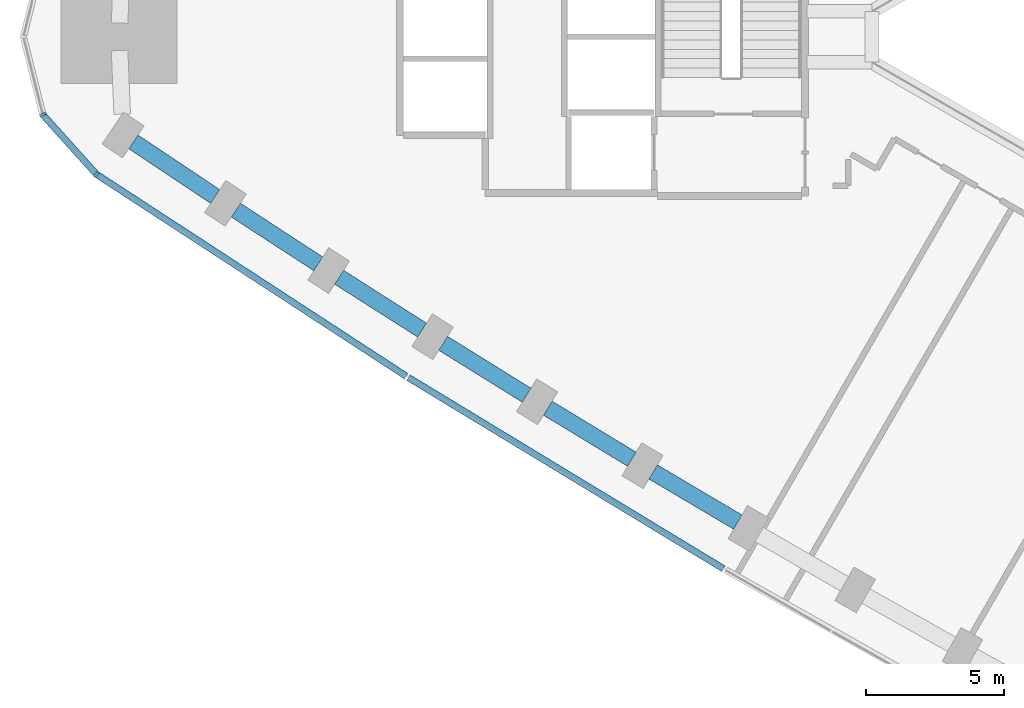
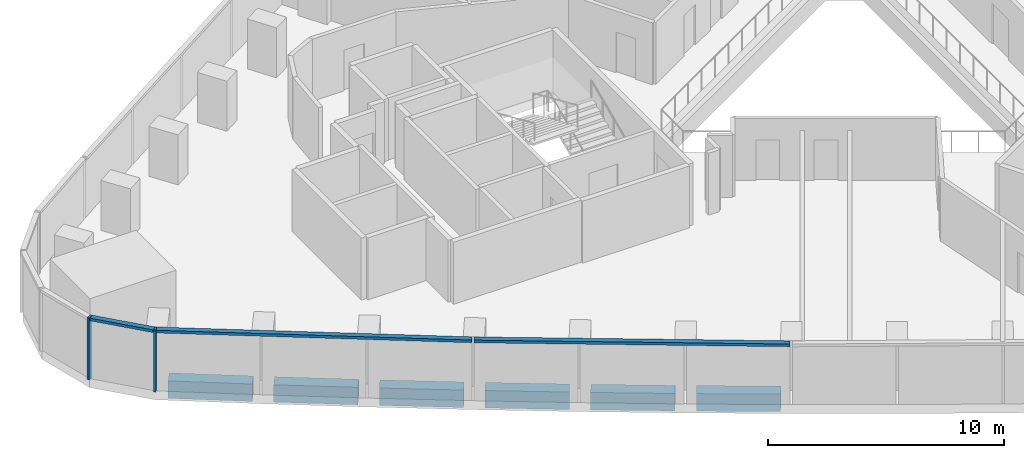
# One storey, part 2 of 12: 6 beams, 5 members, 2 elements without a shape of their own.
"""IFC4 building model written with IfcOpenShell, lengths in metres."""

from ifc_helpers import new_model, si_unit, direction, frame, origin, origin_2d, place, context, subcontext, project, spatial, rectangle, extrude, material, material_profile, profile_set, type_object, element, aggregate, save


model = new_model("IFC4")

# Units and contexts
model_context = context("Model", 3, precision=1e-05, world=origin(), true_north=direction((0.0, 1.0)))
body_context = subcontext(model_context, "Body", "Model", "MODEL_VIEW")
ifc_project = project(units=[si_unit("LENGTHUNIT", "METRE"), si_unit("AREAUNIT", "SQUARE_METRE"), si_unit("VOLUMEUNIT", "CUBIC_METRE"), si_unit("PLANEANGLEUNIT", "RADIAN"), si_unit("MASSUNIT", "GRAM", prefix="KILO")], contexts=[model_context])

# Site, building, storey
site_placement = place(None, origin())
site = spatial("IfcSite", under=ifc_project, at=site_placement, CompositionType="ELEMENT")
building_placement = place(site_placement, origin())
building = spatial("IfcBuilding", under=site, at=building_placement, Name="Tamra Quay Hotel Tower", CompositionType="ELEMENT")
storey_placement = place(building_placement, frame((0.0, 0.0, 71.0)))
storey = spatial("IfcBuildingStorey", under=building, at=storey_placement, Name="L16", CompositionType="ELEMENT", Elevation=71.0)

# Curtain wall, member
ifc_material_1 = material(Name="Aluminium 6063 anodised dark grey", Category="aluminium")
curtain_wall_type_1 = type_object("IfcCurtainWallType", Name="CW2 CURTAIN WALL", PredefinedType="NOTDEFINED", material=ifc_material_1)
curtain_wall_1_placement = place(storey_placement, origin())
curtain_wall_1 = element("IfcCurtainWall", 1, at=curtain_wall_1_placement, inside=storey, type_object=curtain_wall_type_1, Name="CW2 north-west face L16", PredefinedType="NOTDEFINED")
ifc_material_profile_1 = material_profile(ifc_material_1, rectangle(XDim=0.239990234375, YDim=0.10009765625, at=origin_2d()), Name="MULLION 100X240")
ifc_profile_set_1 = profile_set([ifc_material_profile_1], Name="Aluminium 6063 anodised dark grey")
member_type_1 = type_object("IfcMemberType", Name="MULLION CW2 Z1", PredefinedType="MULLION", material=ifc_profile_set_1)
member_1_placement = place(storey_placement, frame((-38.497802734375, -2.828125, 0.0), z_axis=(0.0, 0.0, 1.0), x_axis=(-0.882955345235, -0.469456982396, 0.0)))
member_1 = element("IfcMember", 2, at=member_1_placement, type_object=member_type_1, Name="CW2 mullion L16.NW.17", PredefinedType="MULLION", context=body_context, shape_type="SweptSolid", body=[
    extrude(rectangle(XDim=0.239990234375, YDim=0.10009765625, at=origin_2d()), origin(), (0.0, 0.0, 1.0), 3.199951171875),
])

curtain_wall_type_2 = type_object("IfcCurtainWallType", Name="CW3 CURTAIN WALL", PredefinedType="NOTDEFINED", material=ifc_material_1)
curtain_wall_2_placement = place(storey_placement, origin())
curtain_wall_2 = element("IfcCurtainWall", 3, at=curtain_wall_2_placement, inside=storey, type_object=curtain_wall_type_2, Name="CW3 south-west face L16", PredefinedType="NOTDEFINED")
ifc_material_profile_2 = material_profile(ifc_material_1, rectangle(XDim=0.239990234375, YDim=0.10009765625, at=origin_2d()), Name="MULLION 100X240")
ifc_profile_set_2 = profile_set([ifc_material_profile_2], Name="Aluminium 6063 anodised dark grey")
member_type_2 = type_object("IfcMemberType", Name="MULLION CW3 Z1", PredefinedType="MULLION", material=ifc_profile_set_2)
member_2_placement = place(storey_placement, frame((-36.547607421875, -4.993896484375, 0.0), z_axis=(0.0, 0.0, 1.0), x_axis=(-0.654196774513, -0.756324388221, 0.0)))
member_2 = element("IfcMember", 4, at=member_2_placement, type_object=member_type_2, Name="CW3 mullion L16.SW.1", PredefinedType="MULLION", context=body_context, shape_type="SweptSolid", body=[
    extrude(rectangle(XDim=0.239990234375, YDim=0.10009765625, at=origin_2d()), origin(), (0.0, 0.0, 1.0), 3.199951171875),
])

# Beams
ifc_material_2 = material(Name="Concrete M60", Category="concrete")
ifc_material_profile_3 = material_profile(ifc_material_2, rectangle(XDim=0.60009765625, YDim=0.89990234375, at=origin_2d()), Name="SPANDREL BEAM RC 600x900")
ifc_profile_set_3 = profile_set([ifc_material_profile_3], Name="Concrete M60")
beam_type = type_object("IfcBeamType", Name="SPANDREL BEAM RC 600x900", PredefinedType="SPANDREL", material=ifc_profile_set_3)
beam_1_placement = place(storey_placement, frame((-35.209228515625, -3.814697265625, -0.925048828125), z_axis=(0.831818807601, -0.555047269448, 0.0), x_axis=(0.555047269448, 0.831818807601, 0.0)))
element("IfcBeam", 5, at=beam_1_placement, inside=storey, type_object=beam_type, Name="BM-SP1-030-L16", PredefinedType="SPANDREL", context=body_context, shape_type="SweptSolid", body=[
    extrude(rectangle(XDim=0.60009765625, YDim=0.89990234375, at=origin_2d()), origin(), (0.0, 0.0, 1.0), 3.57080078125),
])
beam_2_placement = place(storey_placement, frame((-31.48779296875, -6.292236328125, -0.925048828125), z_axis=(0.837739819239, -0.546069588296, 0.0), x_axis=(0.546069588296, 0.837739819239, 0.0)))
element("IfcBeam", 6, at=beam_2_placement, inside=storey, type_object=beam_type, Name="BM-SP1-031-L16", PredefinedType="SPANDREL", context=body_context, shape_type="SweptSolid", body=[
    extrude(rectangle(XDim=0.60009765625, YDim=0.89990234375, at=origin_2d()), origin(), (0.0, 0.0, 1.0), 3.570068359375),
])
beam_3_placement = place(storey_placement, frame((-27.740478515625, -8.729248046875, -0.925048828125), z_axis=(0.843593906333, -0.53698167678, 0.0), x_axis=(0.53698167678, 0.843593906333, 0.0)))
element("IfcBeam", 7, at=beam_3_placement, inside=storey, type_object=beam_type, Name="BM-SP1-032-L16", PredefinedType="SPANDREL", context=body_context, shape_type="SweptSolid", body=[
    extrude(rectangle(XDim=0.60009765625, YDim=0.89990234375, at=origin_2d()), origin(), (0.0, 0.0, 1.0), 3.5703125),
])
beam_4_placement = place(storey_placement, frame((-23.966552734375, -11.125732421875, -0.925048828125), z_axis=(0.849320953317, -0.527876802158, 0.0), x_axis=(0.527876802158, 0.849320953317, 0.0)))
element("IfcBeam", 8, at=beam_4_placement, inside=storey, type_object=beam_type, Name="BM-SP1-033-L16", PredefinedType="SPANDREL", context=body_context, shape_type="SweptSolid", body=[
    extrude(rectangle(XDim=0.60009765625, YDim=0.89990234375, at=origin_2d()), origin(), (0.0, 0.0, 1.0), 3.570556640625),
])
beam_5_placement = place(storey_placement, frame((-20.1669921875, -13.4814453125, -0.925048828125), z_axis=(0.854966252085, -0.518683629775, 0.0), x_axis=(0.518683629775, 0.854966252085, 0.0)))
element("IfcBeam", 9, at=beam_5_placement, inside=storey, type_object=beam_type, Name="BM-SP1-034-L16", PredefinedType="SPANDREL", context=body_context, shape_type="SweptSolid", body=[
    extrude(rectangle(XDim=0.60009765625, YDim=0.89990234375, at=origin_2d()), origin(), (0.0, 0.0, 1.0), 3.56982421875),
])
beam_6_placement = place(storey_placement, frame((-16.3427734375, -15.79541015625, -0.925048828125), z_axis=(0.860524689034, -0.509408735264, 0.0), x_axis=(0.509408735264, 0.860524689034, 0.0)))
element("IfcBeam", 10, at=beam_6_placement, inside=storey, type_object=beam_type, Name="BM-SP1-035-L16", PredefinedType="SPANDREL", context=body_context, shape_type="SweptSolid", body=[
    extrude(rectangle(XDim=0.60009765625, YDim=0.89990234375, at=origin_2d()), origin(), (0.0, 0.0, 1.0), 3.570556640625),
])

# Member
ifc_material_profile_4 = material_profile(ifc_material_1, rectangle(XDim=0.239990234375, YDim=0.139892578125, at=origin_2d()), Name="TRANSOM 240X140")
ifc_profile_set_4 = profile_set([ifc_material_profile_4], Name="Aluminium 6063 anodised dark grey")
member_type_3 = type_object("IfcMemberType", Name="TRANSOM CW2 Z1", PredefinedType="USERDEFINED", material=ifc_profile_set_4)
member_3_placement = place(storey_placement, frame((-38.46435546875, -2.865234375, 3.1298828125), z_axis=(0.669142034262, -0.743134535588, 0.0), x_axis=(0.743134535588, 0.669142034262, 0.0)))
member_3 = element("IfcMember", 11, at=member_3_placement, type_object=member_type_3, Name="CW2 transom L16.NW.17", ObjectType="TRANSOM", PredefinedType="USERDEFINED", context=body_context, shape_type="SweptSolid", body=[
    extrude(rectangle(XDim=0.239990234375, YDim=0.139892578125, at=origin_2d()), origin(), (0.0, 0.0, 1.0), 2.814453125),
])

aggregate(curtain_wall_1, [member_1, member_3])

ifc_material_profile_5 = material_profile(ifc_material_1, rectangle(XDim=0.239990234375, YDim=0.139892578125, at=origin_2d()), Name="TRANSOM 240X140")
ifc_profile_set_5 = profile_set([ifc_material_profile_5], Name="Aluminium 6063 anodised dark grey")
member_type_4 = type_object("IfcMemberType", Name="TRANSOM CW3 Z1", PredefinedType="USERDEFINED", material=ifc_profile_set_5)
member_4_placement = place(storey_placement, frame((-36.506103515625, -5.021728515625, 3.1298828125), z_axis=(0.83773012635, -0.546084458126, 0.0), x_axis=(0.546084458126, 0.83773012635, 0.0)))
member_4 = element("IfcMember", 12, at=member_4_placement, type_object=member_type_4, Name="CW3 transom L16.SW.1", ObjectType="TRANSOM", PredefinedType="USERDEFINED", context=body_context, shape_type="SweptSolid", body=[
    extrude(rectangle(XDim=0.239990234375, YDim=0.139892578125, at=origin_2d()), origin(), (0.0, 0.0, 1.0), 13.3662109375),
])

member_5_placement = place(storey_placement, frame((-25.22412109375, -12.3740234375, 3.1298828125), z_axis=(0.854992910191, -0.518639685642, 0.0), x_axis=(0.518639685642, 0.854992910191, 0.0)))
member_5 = element("IfcMember", 13, at=member_5_placement, type_object=member_type_4, Name="CW3 transom L16.SW.4", ObjectType="TRANSOM", PredefinedType="USERDEFINED", context=body_context, shape_type="SweptSolid", body=[
    extrude(rectangle(XDim=0.239990234375, YDim=0.139892578125, at=origin_2d()), origin(), (0.0, 0.0, 1.0), 13.366455078125),
])

aggregate(curtain_wall_2, [member_2, member_4, member_5])

save(model, "model.ifc")
